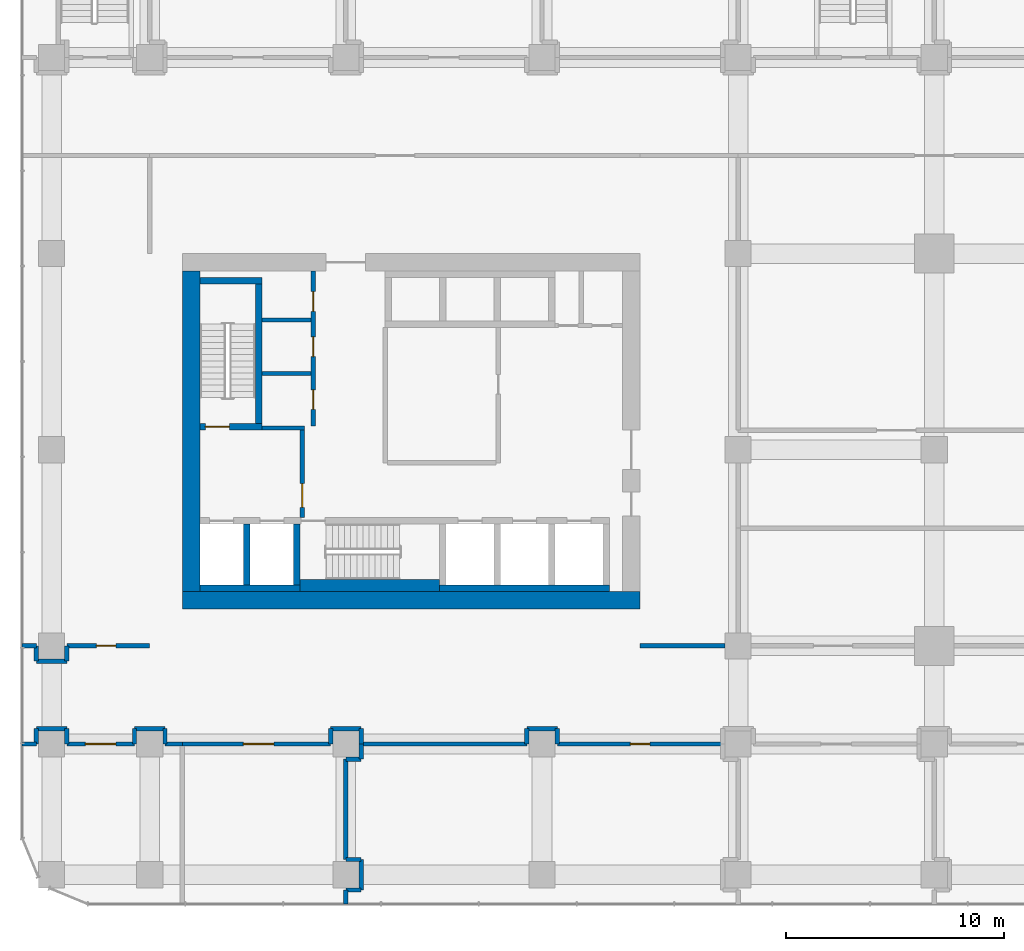
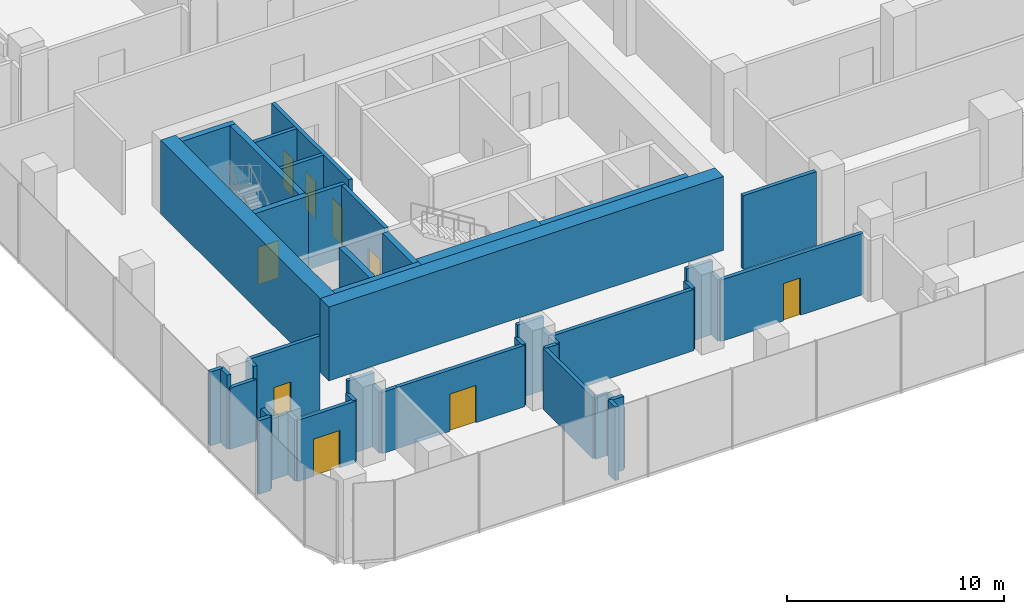
# One storey, part 28 of 43: 46 walls, 9 doors, 9 openings.
"""IFC4 building model written with IfcOpenShell, lengths in metres."""

from ifc_helpers import new_model, si_unit, direction, frame, frame_2d, origin, place, context, subcontext, project, spatial, rectangle, extrude, material, layer, layer_set, type_object, element, fill, save


model = new_model("IFC4")

# Units and contexts
model_context = context("Model", 3, precision=1e-05, world=origin(), true_north=direction((0.0, 1.0)))
body_context = subcontext(model_context, "Body", "Model", "MODEL_VIEW")
ifc_project = project(units=[si_unit("LENGTHUNIT", "METRE"), si_unit("AREAUNIT", "SQUARE_METRE"), si_unit("VOLUMEUNIT", "CUBIC_METRE"), si_unit("PLANEANGLEUNIT", "RADIAN"), si_unit("MASSUNIT", "GRAM", prefix="KILO")], contexts=[model_context])

# Site, building, storey
site_placement = place(None, origin())
site = spatial("IfcSite", under=ifc_project, at=site_placement, CompositionType="ELEMENT")
building_placement = place(site_placement, origin())
building = spatial("IfcBuilding", under=site, at=building_placement, Name="Plateau Cross Towers", CompositionType="ELEMENT")
storey_placement = place(building_placement, frame((0.0, 0.0, 12.800048828125)))
storey = spatial("IfcBuildingStorey", under=building, at=storey_placement, Name="L02", CompositionType="ELEMENT", Elevation=12.800048828125)

# Wall, opening, door
ifc_material_1 = material(Name="Concrete block, plastered both sides", Category="concrete")
ifc_layer_1 = layer(ifc_material_1, 0.199951171875)
ifc_layer_set_1 = layer_set([ifc_layer_1], Name="Concrete block, plastered both sides")
wall_type_1 = type_object("IfcWallType", Name="Core partition 200", PredefinedType="PARTITIONING", material=ifc_layer_set_1)
wall_1_placement = place(storey_placement, frame((7.0, 5.89990234375, 0.0), z_axis=(0.0, 0.0, 1.0), x_axis=(0.0, 1.0, 0.0)))
wall_1 = element("IfcWall", 1, at=wall_1_placement, inside=storey, type_object=wall_type_1, Name="Core partition", PredefinedType="PARTITIONING", context=body_context, shape_type="SweptSolid", body=[
    extrude(rectangle(XDim=4.0, YDim=0.199951171875, at=frame_2d((2.0, 0.0))), origin(), (0.0, 0.0, 1.0), 4.14990234375),
])
opening_1_placement = place(wall_1_placement, frame((0.449951171875, 0.0, 0.0)))
opening_1 = element("IfcOpeningElement", 2, at=opening_1_placement, cuts=wall_1, Name="Opening FFD", PredefinedType="OPENING", context=body_context, shape_type="SweptSolid", body=[
    extrude(rectangle(XDim=1.10009765625, YDim=2.10009765625, at=frame_2d((0.550048828125, 1.050048828125))), frame((0.0, 0.10986328125, 0.0), z_axis=(0.0, -1.0, 0.0), x_axis=(1.0, 0.0, 0.0)), (0.0, 0.0, 1.0), 0.219970703125),
])
ifc_material_2 = material(Name="Steel, fire-resisting leaf", Category="steel")
door_type_1 = type_object("IfcDoorType", Name="Firefighting lobby door 1100", OperationType="NOTDEFINED", PredefinedType="DOOR", material=ifc_material_2)
door_1_placement = place(opening_1_placement, origin())
door_1 = element("IfcDoor", 3, at=door_1_placement, inside=storey, type_object=door_type_1, Name="Firefighting lobby door FFD", OperationType="SINGLE_SWING_LEFT", OverallHeight=2.10009765625, OverallWidth=1.10009765625, PredefinedType="DOOR", context=body_context, shape_type="SweptSolid", body=[
    extrude(rectangle(XDim=1.10009765625, YDim=2.10009765625, at=frame_2d((0.550048828125, 1.050048828125))), frame((0.0, 0.02490234375, 0.0), z_axis=(0.0, -1.0, 0.0), x_axis=(1.0, 0.0, 0.0)), (0.0, 0.0, 1.0), 0.050048828125),
])
fill(opening_1, door_1)

# Wall
wall_2_placement = place(storey_placement, frame((5.14990234375, 10.0, 0.0), z_axis=(0.0, 0.0, 1.0), x_axis=(1.0, 0.0, 0.0)))
element("IfcWall", 4, at=wall_2_placement, inside=storey, type_object=wall_type_1, Name="Core partition", PredefinedType="PARTITIONING", context=body_context, shape_type="SweptSolid", body=[
    extrude(rectangle(XDim=1.9501953125, YDim=0.199951171875, at=frame_2d((0.97509765625, 0.0))), origin(), (0.0, 0.0, 1.0), 4.14990234375),
])

# Wall, openings, doors
wall_3_placement = place(storey_placement, frame((7.5, 10.10009765625, 0.0), z_axis=(0.0, 0.0, 1.0), x_axis=(0.0, 1.0, 0.0)))
wall_3 = element("IfcWall", 5, at=wall_3_placement, inside=storey, type_object=wall_type_1, Name="Core partition", PredefinedType="PARTITIONING", context=body_context, shape_type="SweptSolid", body=[
    extrude(rectangle(XDim=7.099853515625, YDim=0.199951171875, at=frame_2d((3.5498046875, 0.0))), origin(), (0.0, 0.0, 1.0), 4.14990234375),
])
opening_2_placement = place(wall_3_placement, frame((0.75, 0.0, 0.0)))
opening_2 = element("IfcOpeningElement", 6, at=opening_2_placement, cuts=wall_3, Name="Opening RD1", PredefinedType="OPENING", context=body_context, shape_type="SweptSolid", body=[
    extrude(rectangle(XDim=0.89990234375, YDim=2.10009765625, at=frame_2d((0.449951171875, 1.050048828125))), frame((0.0, 0.10986328125, 0.0), z_axis=(0.0, -1.0, 0.0), x_axis=(1.0, 0.0, 0.0)), (0.0, 0.0, 1.0), 0.219970703125),
])
opening_3_placement = place(wall_3_placement, frame((3.175048828125, 0.0, 0.0)))
opening_3 = element("IfcOpeningElement", 7, at=opening_3_placement, cuts=wall_3, Name="Opening RD1", PredefinedType="OPENING", context=body_context, shape_type="SweptSolid", body=[
    extrude(rectangle(XDim=0.89990234375, YDim=2.10009765625, at=frame_2d((0.449951171875, 1.050048828125))), frame((0.0, 0.10986328125, 0.0), z_axis=(0.0, -1.0, 0.0), x_axis=(1.0, 0.0, 0.0)), (0.0, 0.0, 1.0), 0.219970703125),
])
opening_4_placement = place(wall_3_placement, frame((5.25, 0.0, 0.0)))
opening_4 = element("IfcOpeningElement", 8, at=opening_4_placement, cuts=wall_3, Name="Opening RD1", PredefinedType="OPENING", context=body_context, shape_type="SweptSolid", body=[
    extrude(rectangle(XDim=0.89990234375, YDim=2.10009765625, at=frame_2d((0.449951171875, 1.050048828125))), frame((0.0, 0.10986328125, 0.0), z_axis=(0.0, -1.0, 0.0), x_axis=(1.0, 0.0, 0.0)), (0.0, 0.0, 1.0), 0.219970703125),
])
ifc_material_3 = material(Name="Timber, fire-resisting leaf", Category="wood")
door_type_2 = type_object("IfcDoorType", Name="Core service door 900", OperationType="NOTDEFINED", PredefinedType="DOOR", material=ifc_material_3)
door_2_placement = place(opening_2_placement, origin())
door_2 = element("IfcDoor", 9, at=door_2_placement, inside=storey, type_object=door_type_2, Name="Core service door RD1", OperationType="SINGLE_SWING_RIGHT", OverallHeight=2.10009765625, OverallWidth=0.89990234375, PredefinedType="DOOR", context=body_context, shape_type="SweptSolid", body=[
    extrude(rectangle(XDim=0.89990234375, YDim=2.10009765625, at=frame_2d((0.449951171875, 1.050048828125))), frame((0.0, 0.02490234375, 0.0), z_axis=(0.0, -1.0, 0.0), x_axis=(1.0, 0.0, 0.0)), (0.0, 0.0, 1.0), 0.050048828125),
])
fill(opening_2, door_2)
door_3_placement = place(opening_3_placement, origin())
door_3 = element("IfcDoor", 10, at=door_3_placement, inside=storey, type_object=door_type_2, Name="Core service door RD1", OperationType="SINGLE_SWING_RIGHT", OverallHeight=2.10009765625, OverallWidth=0.89990234375, PredefinedType="DOOR", context=body_context, shape_type="SweptSolid", body=[
    extrude(rectangle(XDim=0.89990234375, YDim=2.10009765625, at=frame_2d((0.449951171875, 1.050048828125))), frame((0.0, 0.02490234375, 0.0), z_axis=(0.0, -1.0, 0.0), x_axis=(1.0, 0.0, 0.0)), (0.0, 0.0, 1.0), 0.050048828125),
])
fill(opening_3, door_3)
door_4_placement = place(opening_4_placement, origin())
door_4 = element("IfcDoor", 11, at=door_4_placement, inside=storey, type_object=door_type_2, Name="Core service door RD1", OperationType="SINGLE_SWING_RIGHT", OverallHeight=2.10009765625, OverallWidth=0.89990234375, PredefinedType="DOOR", context=body_context, shape_type="SweptSolid", body=[
    extrude(rectangle(XDim=0.89990234375, YDim=2.10009765625, at=frame_2d((0.449951171875, 1.050048828125))), frame((0.0, 0.02490234375, 0.0), z_axis=(0.0, -1.0, 0.0), x_axis=(1.0, 0.0, 0.0)), (0.0, 0.0, 1.0), 0.050048828125),
])
fill(opening_4, door_4)

# Walls
for number, where, z_axis, x_axis, name in (
    (12, (5.14990234375, 12.5, 0.0), (0.0, 0.0, 1.0), (1.0, 0.0, 0.0), "Core partition"),
    (13, (5.14990234375, 14.949951171875, 0.0), (0.0, 0.0, 1.0), (1.0, 0.0, 0.0), "Core partition"),
):
    element("IfcWall", number, at=place(storey_placement, frame(where, z_axis=z_axis, x_axis=x_axis)), inside=storey, type_object=wall_type_1, Name=name, PredefinedType="PARTITIONING", context=body_context, shape_type="SweptSolid", body=[
        extrude(rectangle(XDim=2.25, YDim=0.199951171875, at=frame_2d((1.125, 0.0))), origin(), (0.0, 0.0, 1.0), 4.14990234375),
    ])
ifc_material_4 = material(Name="Concrete C60/75", Category="concrete")
ifc_layer_2 = layer(ifc_material_4, 0.300048828125)
ifc_layer_set_2 = layer_set([ifc_layer_2], Name="Concrete C60/75")
wall_type_2 = type_object("IfcWallType", Name="Core shaft wall 300", PredefinedType="SHEAR", material=ifc_layer_set_2)
wall_4_placement = place(storey_placement, frame((2.300048828125, 2.64990234375, 0.0), z_axis=(0.0, 0.0, 1.0), x_axis=(1.0, 0.0, 0.0)))
element("IfcWall", 14, at=wall_4_placement, inside=storey, type_object=wall_type_2, Name="A-sb-back1@L02", PredefinedType="SHEAR", context=body_context, shape_type="SweptSolid", body=[
    extrude(rectangle(XDim=4.599853515625, YDim=0.300048828125, at=frame_2d((2.2998046875, 0.0))), origin(), (0.0, 0.0, 1.0), 4.14990234375),
])
wall_5_placement = place(storey_placement, frame((13.300048828125, 2.64990234375, 0.0), z_axis=(0.0, 0.0, 1.0), x_axis=(1.0, 0.0, 0.0)))
element("IfcWall", 15, at=wall_5_placement, inside=storey, type_object=wall_type_2, Name="A-sb-back3@L02", PredefinedType="SHEAR", context=body_context, shape_type="SweptSolid", body=[
    extrude(rectangle(XDim=7.800048828125, YDim=0.300048828125, at=frame_2d((3.89990234375, 0.0))), origin(), (0.0, 0.0, 1.0), 4.14990234375),
])
for number, where, z_axis, x_axis, name in (
    (16, (4.449951171875, 2.800048828125, 0.0), (0.0, 0.0, 1.0), (0.0, 1.0, 0.0), "A-sb-v1@L02"),
    (17, (6.75, 2.800048828125, 0.0), (0.0, 0.0, 1.0), (0.0, 1.0, 0.0), "A-sb-v2@L02"),
):
    element("IfcWall", number, at=place(storey_placement, frame(where, z_axis=z_axis, x_axis=x_axis)), inside=storey, type_object=wall_type_2, Name=name, PredefinedType="SHEAR", context=body_context, shape_type="SweptSolid", body=[
        extrude(rectangle(XDim=2.800048828125, YDim=0.300048828125, at=frame_2d((1.39990234375, 0.0))), origin(), (0.0, 0.0, 1.0), 4.14990234375),
    ])

# Wall, opening, door
wall_6_placement = place(storey_placement, frame((2.300048828125, 10.050048828125, 0.0), z_axis=(0.0, 0.0, 1.0), x_axis=(1.0, 0.0, 0.0)))
wall_6 = element("IfcWall", 18, at=wall_6_placement, inside=storey, type_object=wall_type_2, Name="A-st1-S@L02", PredefinedType="SHEAR", context=body_context, shape_type="SweptSolid", body=[
    extrude(rectangle(XDim=2.849853515625, YDim=0.300048828125, at=frame_2d((1.4248046875, 0.0))), origin(), (0.0, 0.0, 1.0), 4.14990234375),
])
opening_5_placement = place(wall_6_placement, frame((0.25, 0.0, 0.0)))
opening_5 = element("IfcOpeningElement", 19, at=opening_5_placement, cuts=wall_6, Name="Opening SD", PredefinedType="OPENING", context=body_context, shape_type="SweptSolid", body=[
    extrude(rectangle(XDim=1.10009765625, YDim=2.10009765625, at=frame_2d((0.550048828125, 1.050048828125))), frame((0.0, 0.159912109375, 0.0), z_axis=(0.0, -1.0, 0.0), x_axis=(1.0, 0.0, 0.0)), (0.0, 0.0, 1.0), 0.320068359375),
])
door_type_3 = type_object("IfcDoorType", Name="Stair door 1100", OperationType="NOTDEFINED", PredefinedType="DOOR", material=ifc_material_2)
door_5_placement = place(opening_5_placement, origin())
door_5 = element("IfcDoor", 20, at=door_5_placement, inside=storey, type_object=door_type_3, Name="Stair door SD", OperationType="SINGLE_SWING_RIGHT", OverallHeight=2.10009765625, OverallWidth=1.10009765625, PredefinedType="DOOR", context=body_context, shape_type="SweptSolid", body=[
    extrude(rectangle(XDim=1.10009765625, YDim=2.10009765625, at=frame_2d((0.550048828125, 1.050048828125))), frame((0.0, 0.02490234375, 0.0), z_axis=(0.0, -1.0, 0.0), x_axis=(1.0, 0.0, 0.0)), (0.0, 0.0, 1.0), 0.050048828125),
])
fill(opening_5, door_5)

# Walls
wall_7_placement = place(storey_placement, frame((5.0, 10.199951171875, 0.0), z_axis=(0.0, 0.0, 1.0), x_axis=(0.0, 1.0, 0.0)))
element("IfcWall", 21, at=wall_7_placement, inside=storey, type_object=wall_type_2, Name="A-st1-E@L02", PredefinedType="SHEAR", context=body_context, shape_type="SweptSolid", body=[
    extrude(rectangle(XDim=6.400146484375, YDim=0.300048828125, at=frame_2d((3.2001953125, 0.0))), origin(), (0.0, 0.0, 1.0), 4.14990234375),
])
wall_8_placement = place(storey_placement, frame((2.300048828125, 16.75, 0.0), z_axis=(0.0, 0.0, 1.0), x_axis=(1.0, 0.0, 0.0)))
element("IfcWall", 22, at=wall_8_placement, inside=storey, type_object=wall_type_2, Name="A-st1-N@L02", PredefinedType="SHEAR", context=body_context, shape_type="SweptSolid", body=[
    extrude(rectangle(XDim=2.849853515625, YDim=0.300048828125, at=frame_2d((1.4248046875, 0.0))), origin(), (0.0, 0.0, 1.0), 4.14990234375),
])
ifc_layer_3 = layer(ifc_material_4, 0.550048828125)
ifc_layer_set_3 = layer_set([ifc_layer_3], Name="Concrete C60/75")
wall_type_3 = type_object("IfcWallType", Name="Core shaft wall 550", PredefinedType="SHEAR", material=ifc_layer_set_3)
wall_9_placement = place(storey_placement, frame((6.89990234375, 2.77490234375, 0.0), z_axis=(0.0, 0.0, 1.0), x_axis=(1.0, 0.0, 0.0)))
element("IfcWall", 23, at=wall_9_placement, inside=storey, type_object=wall_type_3, Name="A-sb-back2@L02", PredefinedType="SHEAR", context=body_context, shape_type="SweptSolid", body=[
    extrude(rectangle(XDim=6.400146484375, YDim=0.550048828125, at=frame_2d((3.2001953125, 0.0))), origin(), (0.0, 0.0, 1.0), 4.14990234375),
])
ifc_layer_4 = layer(ifc_material_4, 0.800048828125)
ifc_layer_set_4 = layer_set([ifc_layer_4], Name="Concrete C60/75")
wall_type_4 = type_object("IfcWallType", Name="Core shell wall 800", PredefinedType="SHEAR", material=ifc_layer_set_4)
wall_10_placement = place(storey_placement, frame((1.5, 2.10009765625, 0.0), z_axis=(0.0, 0.0, 1.0), x_axis=(1.0, 0.0, 0.0)))
element("IfcWall", 24, at=wall_10_placement, inside=storey, type_object=wall_type_4, Name="A-core-S@L02", PredefinedType="SHEAR", context=body_context, shape_type="SweptSolid", body=[
    extrude(rectangle(XDim=21.0, YDim=0.800048828125, at=frame_2d((10.5, 0.0))), origin(), (0.0, 0.0, 1.0), 4.14990234375),
])
wall_11_placement = place(storey_placement, frame((1.89990234375, 2.5, 0.0), z_axis=(0.0, 0.0, 1.0), x_axis=(0.0, 1.0, 0.0)))
element("IfcWall", 25, at=wall_11_placement, inside=storey, type_object=wall_type_4, Name="A-core-W@L02", PredefinedType="SHEAR", context=body_context, shape_type="SweptSolid", body=[
    extrude(rectangle(XDim=14.699951171875, YDim=0.800048828125, at=frame_2d((7.35009765625, 0.0))), origin(), (0.0, 0.0, 1.0), 4.14990234375),
])

# Wall, opening, door
ifc_material_5 = material(Name="Gypsum board on steel studs, two layers each side", Category="steel")
ifc_layer_5 = layer(ifc_material_5, 0.199951171875)
ifc_layer_set_5 = layer_set([ifc_layer_5], Name="Gypsum board on steel studs, two layers each side")
wall_type_5 = type_object("IfcWallType", Name="Podium compartment wall 200", PredefinedType="PARTITIONING", material=ifc_layer_set_5)
wall_12_placement = place(storey_placement, frame((26.300048828125, -4.5, 0.0), z_axis=(0.0, 0.0, 1.0), x_axis=(-1.0, 0.0, 0.0)))
wall_12 = element("IfcWall", 26, at=wall_12_placement, inside=storey, type_object=wall_type_5, Name="Partition wall", PredefinedType="PARTITIONING", context=body_context, shape_type="SweptSolid", body=[
    extrude(rectangle(XDim=7.60009765625, YDim=0.199951171875, at=frame_2d((3.800048828125, 0.0))), origin(), (0.0, 0.0, 1.0), 3.449951171875),
])
opening_6_placement = place(wall_12_placement, frame((3.35009765625, 0.0, 0.0)))
opening_6 = element("IfcOpeningElement", 27, at=opening_6_placement, cuts=wall_12, Name="Opening 02-09", PredefinedType="OPENING", context=body_context, shape_type="SweptSolid", body=[
    extrude(rectangle(XDim=0.89990234375, YDim=2.10009765625, at=frame_2d((0.449951171875, 1.050048828125))), frame((0.0, 0.10986328125, 0.0), z_axis=(0.0, -1.0, 0.0), x_axis=(1.0, 0.0, 0.0)), (0.0, 0.0, 1.0), 0.219970703125),
])
door_type_4 = type_object("IfcDoorType", Name="Podium service door 900", OperationType="NOTDEFINED", PredefinedType="DOOR", material=ifc_material_3)
door_6_placement = place(opening_6_placement, origin())
door_6 = element("IfcDoor", 28, at=door_6_placement, inside=storey, type_object=door_type_4, Name="Door 02-09", OperationType="SINGLE_SWING_LEFT", OverallHeight=2.10009765625, OverallWidth=0.89990234375, PredefinedType="DOOR", context=body_context, shape_type="SweptSolid", body=[
    extrude(rectangle(XDim=0.89990234375, YDim=2.10009765625, at=frame_2d((0.449951171875, 1.050048828125))), frame((0.0, 0.02490234375, 0.0), z_axis=(0.0, -1.0, 0.0), x_axis=(1.0, 0.0, 0.0)), (0.0, 0.0, 1.0), 0.050048828125),
])
fill(opening_6, door_6)

wall_13_placement = place(storey_placement, frame((-3.800048828125, 0.0, 0.0), z_axis=(0.0, 0.0, 1.0), x_axis=(1.0, 0.0, 0.0)))
wall_13 = element("IfcWall", 29, at=wall_13_placement, inside=storey, type_object=wall_type_5, Name="Partition wall", PredefinedType="PARTITIONING", context=body_context, shape_type="SweptSolid", body=[
    extrude(rectangle(XDim=3.800048828125, YDim=0.199951171875, at=frame_2d((1.89990234375, 0.0))), origin(), (0.0, 0.0, 1.0), 4.14990234375),
])
opening_7_placement = place(wall_13_placement, frame((1.35009765625, 0.0, 0.0)))
opening_7 = element("IfcOpeningElement", 30, at=opening_7_placement, cuts=wall_13, Name="Opening 02-31", PredefinedType="OPENING", context=body_context, shape_type="SweptSolid", body=[
    extrude(rectangle(XDim=0.89990234375, YDim=2.10009765625, at=frame_2d((0.449951171875, 1.050048828125))), frame((0.0, 0.10986328125, 0.0), z_axis=(0.0, -1.0, 0.0), x_axis=(1.0, 0.0, 0.0)), (0.0, 0.0, 1.0), 0.219970703125),
])
door_7_placement = place(opening_7_placement, origin())
door_7 = element("IfcDoor", 31, at=door_7_placement, inside=storey, type_object=door_type_4, Name="Door 02-31", OperationType="SINGLE_SWING_LEFT", OverallHeight=2.10009765625, OverallWidth=0.89990234375, PredefinedType="DOOR", context=body_context, shape_type="SweptSolid", body=[
    extrude(rectangle(XDim=0.89990234375, YDim=2.10009765625, at=frame_2d((0.449951171875, 1.050048828125))), frame((0.0, 0.02490234375, 0.0), z_axis=(0.0, -1.0, 0.0), x_axis=(1.0, 0.0, 0.0)), (0.0, 0.0, 1.0), 0.050048828125),
])
fill(opening_7, door_7)

# Walls
ifc_material_6 = material(Name="Gypsum board on steel studs", Category="steel")
ifc_layer_6 = layer(ifc_material_6, 0.199951171875)
ifc_layer_set_6 = layer_set([ifc_layer_6], Name="Gypsum board on steel studs")
wall_type_6 = type_object("IfcWallType", Name="Podium partition 200", PredefinedType="PARTITIONING", material=ifc_layer_set_6)
wall_14_placement = place(storey_placement, frame((18.699951171875, -4.5, 0.0), z_axis=(0.0, 0.0, 1.0), x_axis=(0.0, 1.0, 0.0)))
element("IfcWall", 32, at=wall_14_placement, inside=storey, type_object=wall_type_6, Name="Partition wall", PredefinedType="PARTITIONING", context=body_context, shape_type="SweptSolid", body=[
    extrude(rectangle(XDim=0.699951171875, YDim=0.199951171875, at=frame_2d((0.35009765625, 0.0))), origin(), (0.0, 0.0, 1.0), 3.449951171875),
])
wall_15_placement = place(storey_placement, frame((18.699951171875, -3.800048828125, 0.0), z_axis=(0.0, 0.0, 1.0), x_axis=(-1.0, 0.0, 0.0)))
element("IfcWall", 33, at=wall_15_placement, inside=storey, type_object=wall_type_6, Name="Partition wall", PredefinedType="PARTITIONING", context=body_context, shape_type="SweptSolid", body=[
    extrude(rectangle(XDim=1.39990234375, YDim=0.199951171875, at=frame_2d((0.699951171875, 0.0))), origin(), (0.0, 0.0, 1.0), 4.14990234375),
])
wall_16_placement = place(storey_placement, frame((17.300048828125, -3.800048828125, 0.0), z_axis=(0.0, 0.0, 1.0), x_axis=(0.0, -1.0, 0.0)))
element("IfcWall", 34, at=wall_16_placement, inside=storey, type_object=wall_type_6, Name="Partition wall", PredefinedType="PARTITIONING", context=body_context, shape_type="SweptSolid", body=[
    extrude(rectangle(XDim=0.699951171875, YDim=0.199951171875, at=frame_2d((0.35009765625, 0.0))), origin(), (0.0, 0.0, 1.0), 3.449951171875),
])
wall_17_placement = place(storey_placement, frame((17.300048828125, -4.5, 0.0), z_axis=(0.0, 0.0, 1.0), x_axis=(-1.0, 0.0, 0.0)))
element("IfcWall", 35, at=wall_17_placement, inside=storey, type_object=wall_type_6, Name="Partition wall", PredefinedType="PARTITIONING", context=body_context, shape_type="SweptSolid", body=[
    extrude(rectangle(XDim=7.60009765625, YDim=0.199951171875, at=frame_2d((3.800048828125, 0.0))), origin(), (0.0, 0.0, 1.0), 3.449951171875),
])
wall_18_placement = place(storey_placement, frame((9.699951171875, -4.5, 0.0), z_axis=(0.0, 0.0, 1.0), x_axis=(0.0, 1.0, 0.0)))
element("IfcWall", 36, at=wall_18_placement, inside=storey, type_object=wall_type_6, Name="Partition wall", PredefinedType="PARTITIONING", context=body_context, shape_type="SweptSolid", body=[
    extrude(rectangle(XDim=0.699951171875, YDim=0.199951171875, at=frame_2d((0.35009765625, 0.0))), origin(), (0.0, 0.0, 1.0), 3.449951171875),
])
wall_19_placement = place(storey_placement, frame((9.699951171875, -3.800048828125, 0.0), z_axis=(0.0, 0.0, 1.0), x_axis=(-1.0, 0.0, 0.0)))
element("IfcWall", 37, at=wall_19_placement, inside=storey, type_object=wall_type_6, Name="Partition wall", PredefinedType="PARTITIONING", context=body_context, shape_type="SweptSolid", body=[
    extrude(rectangle(XDim=1.39990234375, YDim=0.199951171875, at=frame_2d((0.699951171875, 0.0))), origin(), (0.0, 0.0, 1.0), 4.14990234375),
])
wall_20_placement = place(storey_placement, frame((8.300048828125, -3.800048828125, 0.0), z_axis=(0.0, 0.0, 1.0), x_axis=(0.0, -1.0, 0.0)))
element("IfcWall", 38, at=wall_20_placement, inside=storey, type_object=wall_type_6, Name="Partition wall", PredefinedType="PARTITIONING", context=body_context, shape_type="SweptSolid", body=[
    extrude(rectangle(XDim=0.699951171875, YDim=0.199951171875, at=frame_2d((0.35009765625, 0.0))), origin(), (0.0, 0.0, 1.0), 3.449951171875),
])

# Wall, opening, door
wall_21_placement = place(storey_placement, frame((8.300048828125, -4.5, 0.0), z_axis=(0.0, 0.0, 1.0), x_axis=(-1.0, 0.0, 0.0)))
wall_21 = element("IfcWall", 39, at=wall_21_placement, inside=storey, type_object=wall_type_6, Name="Partition wall", PredefinedType="PARTITIONING", context=body_context, shape_type="SweptSolid", body=[
    extrude(rectangle(XDim=6.800048828125, YDim=0.199951171875, at=frame_2d((3.39990234375, 0.0))), origin(), (0.0, 0.0, 1.0), 3.449951171875),
])
opening_8_placement = place(wall_21_placement, frame((2.60009765625, 0.0, 0.0)))
opening_8 = element("IfcOpeningElement", 40, at=opening_8_placement, cuts=wall_21, Name="Opening 02-08", PredefinedType="OPENING", context=body_context, shape_type="SweptSolid", body=[
    extrude(rectangle(XDim=1.39990234375, YDim=2.10009765625, at=frame_2d((0.699951171875, 1.050048828125))), frame((0.0, 0.10986328125, 0.0), z_axis=(0.0, -1.0, 0.0), x_axis=(1.0, 0.0, 0.0)), (0.0, 0.0, 1.0), 0.219970703125),
])
ifc_material_7 = material(Name="Timber, hospital grade leaf", Category="wood")
door_type_5 = type_object("IfcDoorType", Name="Clinic bed access door 1400x2100", OperationType="NOTDEFINED", PredefinedType="DOOR", material=ifc_material_7)
door_8_placement = place(opening_8_placement, origin())
door_8 = element("IfcDoor", 41, at=door_8_placement, inside=storey, type_object=door_type_5, Name="Door 02-08", OperationType="SINGLE_SWING_LEFT", OverallHeight=2.10009765625, OverallWidth=1.39990234375, PredefinedType="DOOR", context=body_context, shape_type="SweptSolid", body=[
    extrude(rectangle(XDim=1.39990234375, YDim=2.10009765625, at=frame_2d((0.699951171875, 1.050048828125))), frame((0.0, 0.02490234375, 0.0), z_axis=(0.0, -1.0, 0.0), x_axis=(1.0, 0.0, 0.0)), (0.0, 0.0, 1.0), 0.050048828125),
])
fill(opening_8, door_8)

# Walls
for number, where, z_axis, x_axis, name in (
    (42, (9.699951171875, -4.5, 0.0), (0.0, 0.0, 1.0), (0.0, -1.0, 0.0), "Partition wall"),
    (43, (9.699951171875, -5.199951171875, 0.0), (0.0, 0.0, 1.0), (-1.0, 0.0, 0.0), "Partition wall"),
):
    element("IfcWall", number, at=place(storey_placement, frame(where, z_axis=z_axis, x_axis=x_axis)), inside=storey, type_object=wall_type_6, Name=name, PredefinedType="PARTITIONING", context=body_context, shape_type="SweptSolid", body=[
        extrude(rectangle(XDim=0.699951171875, YDim=0.199951171875, at=frame_2d((0.35009765625, 0.0))), origin(), (0.0, 0.0, 1.0), 3.449951171875),
    ])
wall_22_placement = place(storey_placement, frame((9.0, -5.199951171875, 0.0), z_axis=(0.0, 0.0, 1.0), x_axis=(0.0, -1.0, 0.0)))
element("IfcWall", 44, at=wall_22_placement, inside=storey, type_object=wall_type_6, Name="Partition wall", PredefinedType="PARTITIONING", context=body_context, shape_type="SweptSolid", body=[
    extrude(rectangle(XDim=4.60009765625, YDim=0.199951171875, at=frame_2d((2.300048828125, 0.0))), origin(), (0.0, 0.0, 1.0), 3.449951171875),
])
wall_23_placement = place(storey_placement, frame((9.0, -9.800048828125, 0.0), z_axis=(0.0, 0.0, 1.0), x_axis=(1.0, 0.0, 0.0)))
element("IfcWall", 45, at=wall_23_placement, inside=storey, type_object=wall_type_6, Name="Partition wall", PredefinedType="PARTITIONING", context=body_context, shape_type="SweptSolid", body=[
    extrude(rectangle(XDim=0.699951171875, YDim=0.199951171875, at=frame_2d((0.35009765625, 0.0))), origin(), (0.0, 0.0, 1.0), 3.449951171875),
])
wall_24_placement = place(storey_placement, frame((9.699951171875, -9.800048828125, 0.0), z_axis=(0.0, 0.0, 1.0), x_axis=(0.0, -1.0, 0.0)))
element("IfcWall", 46, at=wall_24_placement, inside=storey, type_object=wall_type_6, Name="Partition wall", PredefinedType="PARTITIONING", context=body_context, shape_type="SweptSolid", body=[
    extrude(rectangle(XDim=1.39990234375, YDim=0.199951171875, at=frame_2d((0.699951171875, 0.0))), origin(), (0.0, 0.0, 1.0), 3.449951171875),
])
wall_25_placement = place(storey_placement, frame((9.699951171875, -11.199951171875, 0.0), z_axis=(0.0, 0.0, 1.0), x_axis=(-1.0, 0.0, 0.0)))
element("IfcWall", 47, at=wall_25_placement, inside=storey, type_object=wall_type_6, Name="Partition wall", PredefinedType="PARTITIONING", context=body_context, shape_type="SweptSolid", body=[
    extrude(rectangle(XDim=0.699951171875, YDim=0.199951171875, at=frame_2d((0.35009765625, 0.0))), origin(), (0.0, 0.0, 1.0), 4.14990234375),
])
wall_26_placement = place(storey_placement, frame((9.0, -11.199951171875, 0.0), z_axis=(0.0, 0.0, 1.0), x_axis=(0.0, -1.0, 0.0)))
element("IfcWall", 48, at=wall_26_placement, inside=storey, type_object=wall_type_6, Name="Partition wall", PredefinedType="PARTITIONING", context=body_context, shape_type="SweptSolid", body=[
    extrude(rectangle(XDim=0.650146484375, YDim=0.199951171875, at=frame_2d((0.3251953125, 0.0))), origin(), (0.0, 0.0, 1.0), 4.14990234375),
])
wall_27_placement = place(storey_placement, frame((1.5, -4.5, 0.0), z_axis=(0.0, 0.0, 1.0), x_axis=(-1.0, 0.0, 0.0)))
element("IfcWall", 49, at=wall_27_placement, inside=storey, type_object=wall_type_6, Name="Partition wall", PredefinedType="PARTITIONING", context=body_context, shape_type="SweptSolid", body=[
    extrude(rectangle(XDim=0.800048828125, YDim=0.199951171875, at=frame_2d((0.39990234375, 0.0))), origin(), (0.0, 0.0, 1.0), 3.449951171875),
])
wall_28_placement = place(storey_placement, frame((0.699951171875, -4.5, 0.0), z_axis=(0.0, 0.0, 1.0), x_axis=(0.0, 1.0, 0.0)))
element("IfcWall", 50, at=wall_28_placement, inside=storey, type_object=wall_type_6, Name="Partition wall", PredefinedType="PARTITIONING", context=body_context, shape_type="SweptSolid", body=[
    extrude(rectangle(XDim=0.699951171875, YDim=0.199951171875, at=frame_2d((0.35009765625, 0.0))), origin(), (0.0, 0.0, 1.0), 3.449951171875),
])
wall_29_placement = place(storey_placement, frame((0.699951171875, -3.800048828125, 0.0), z_axis=(0.0, 0.0, 1.0), x_axis=(-1.0, 0.0, 0.0)))
element("IfcWall", 51, at=wall_29_placement, inside=storey, type_object=wall_type_6, Name="Partition wall", PredefinedType="PARTITIONING", context=body_context, shape_type="SweptSolid", body=[
    extrude(rectangle(XDim=1.39990234375, YDim=0.199951171875, at=frame_2d((0.699951171875, 0.0))), origin(), (0.0, 0.0, 1.0), 4.14990234375),
])
wall_30_placement = place(storey_placement, frame((-0.699951171875, -3.800048828125, 0.0), z_axis=(0.0, 0.0, 1.0), x_axis=(0.0, -1.0, 0.0)))
element("IfcWall", 52, at=wall_30_placement, inside=storey, type_object=wall_type_6, Name="Partition wall", PredefinedType="PARTITIONING", context=body_context, shape_type="SweptSolid", body=[
    extrude(rectangle(XDim=0.699951171875, YDim=0.199951171875, at=frame_2d((0.35009765625, 0.0))), origin(), (0.0, 0.0, 1.0), 3.449951171875),
])

# Wall, opening, door
wall_31_placement = place(storey_placement, frame((-0.699951171875, -4.5, 0.0), z_axis=(0.0, 0.0, 1.0), x_axis=(-1.0, 0.0, 0.0)))
wall_31 = element("IfcWall", 53, at=wall_31_placement, inside=storey, type_object=wall_type_6, Name="Partition wall", PredefinedType="PARTITIONING", context=body_context, shape_type="SweptSolid", body=[
    extrude(rectangle(XDim=3.10009765625, YDim=0.199951171875, at=frame_2d((1.550048828125, 0.0))), origin(), (0.0, 0.0, 1.0), 3.449951171875),
])
opening_9_placement = place(wall_31_placement, frame((0.85009765625, 0.0, 0.0)))
opening_9 = element("IfcOpeningElement", 54, at=opening_9_placement, cuts=wall_31, Name="Opening 02-07", PredefinedType="OPENING", context=body_context, shape_type="SweptSolid", body=[
    extrude(rectangle(XDim=1.39990234375, YDim=2.10009765625, at=frame_2d((0.699951171875, 1.050048828125))), frame((0.0, 0.10986328125, 0.0), z_axis=(0.0, -1.0, 0.0), x_axis=(1.0, 0.0, 0.0)), (0.0, 0.0, 1.0), 0.219970703125),
])
door_9_placement = place(opening_9_placement, origin())
door_9 = element("IfcDoor", 55, at=door_9_placement, inside=storey, type_object=door_type_5, Name="Door 02-07", OperationType="SINGLE_SWING_LEFT", OverallHeight=2.10009765625, OverallWidth=1.39990234375, PredefinedType="DOOR", context=body_context, shape_type="SweptSolid", body=[
    extrude(rectangle(XDim=1.39990234375, YDim=2.10009765625, at=frame_2d((0.699951171875, 1.050048828125))), frame((0.0, 0.02490234375, 0.0), z_axis=(0.0, -1.0, 0.0), x_axis=(1.0, 0.0, 0.0)), (0.0, 0.0, 1.0), 0.050048828125),
])
fill(opening_9, door_9)

# Walls
wall_32_placement = place(storey_placement, frame((-3.800048828125, -4.5, 0.0), z_axis=(0.0, 0.0, 1.0), x_axis=(0.0, 1.0, 0.0)))
element("IfcWall", 56, at=wall_32_placement, inside=storey, type_object=wall_type_6, Name="Partition wall", PredefinedType="PARTITIONING", context=body_context, shape_type="SweptSolid", body=[
    extrude(rectangle(XDim=0.699951171875, YDim=0.199951171875, at=frame_2d((0.35009765625, 0.0))), origin(), (0.0, 0.0, 1.0), 3.449951171875),
])
wall_33_placement = place(storey_placement, frame((-5.85009765625, 0.0, 0.0), z_axis=(0.0, 0.0, 1.0), x_axis=(1.0, 0.0, 0.0)))
element("IfcWall", 57, at=wall_33_placement, inside=storey, type_object=wall_type_6, Name="Partition wall", PredefinedType="PARTITIONING", context=body_context, shape_type="SweptSolid", body=[
    extrude(rectangle(XDim=0.650146484375, YDim=0.199951171875, at=frame_2d((0.3251953125, 0.0))), origin(), (0.0, 0.0, 1.0), 4.14990234375),
])
wall_34_placement = place(storey_placement, frame((-5.199951171875, 0.0, 0.0), z_axis=(0.0, 0.0, 1.0), x_axis=(0.0, -1.0, 0.0)))
element("IfcWall", 58, at=wall_34_placement, inside=storey, type_object=wall_type_6, Name="Partition wall", PredefinedType="PARTITIONING", context=body_context, shape_type="SweptSolid", body=[
    extrude(rectangle(XDim=0.699951171875, YDim=0.199951171875, at=frame_2d((0.35009765625, 0.0))), origin(), (0.0, 0.0, 1.0), 4.14990234375),
])
wall_35_placement = place(storey_placement, frame((-5.199951171875, -0.699951171875, 0.0), z_axis=(0.0, 0.0, 1.0), x_axis=(1.0, 0.0, 0.0)))
element("IfcWall", 59, at=wall_35_placement, inside=storey, type_object=wall_type_6, Name="Partition wall", PredefinedType="PARTITIONING", context=body_context, shape_type="SweptSolid", body=[
    extrude(rectangle(XDim=1.39990234375, YDim=0.199951171875, at=frame_2d((0.699951171875, 0.0))), origin(), (0.0, 0.0, 1.0), 3.449951171875),
])
wall_36_placement = place(storey_placement, frame((-3.800048828125, -0.699951171875, 0.0), z_axis=(0.0, 0.0, 1.0), x_axis=(0.0, 1.0, 0.0)))
element("IfcWall", 60, at=wall_36_placement, inside=storey, type_object=wall_type_6, Name="Partition wall", PredefinedType="PARTITIONING", context=body_context, shape_type="SweptSolid", body=[
    extrude(rectangle(XDim=0.699951171875, YDim=0.199951171875, at=frame_2d((0.35009765625, 0.0))), origin(), (0.0, 0.0, 1.0), 4.14990234375),
])
wall_37_placement = place(storey_placement, frame((26.39990234375, 0.0, 0.0), z_axis=(0.0, 0.0, 1.0), x_axis=(-1.0, 0.0, 0.0)))
element("IfcWall", 61, at=wall_37_placement, inside=storey, type_object=wall_type_6, Name="Partition wall", PredefinedType="PARTITIONING", context=body_context, shape_type="SweptSolid", body=[
    extrude(rectangle(XDim=3.89990234375, YDim=0.199951171875, at=frame_2d((1.949951171875, 0.0))), origin(), (0.0, 0.0, 1.0), 4.14990234375),
])
wall_38_placement = place(storey_placement, frame((-3.800048828125, -3.800048828125, 0.0), z_axis=(0.0, 0.0, 1.0), x_axis=(-1.0, 0.0, 0.0)))
element("IfcWall", 62, at=wall_38_placement, inside=storey, type_object=wall_type_6, Name="Partition wall", PredefinedType="PARTITIONING", context=body_context, shape_type="SweptSolid", body=[
    extrude(rectangle(XDim=1.39990234375, YDim=0.199951171875, at=frame_2d((0.699951171875, 0.0))), origin(), (0.0, 0.0, 1.0), 3.449951171875),
])
wall_39_placement = place(storey_placement, frame((-5.199951171875, -3.800048828125, 0.0), z_axis=(0.0, 0.0, 1.0), x_axis=(0.0, -1.0, 0.0)))
element("IfcWall", 63, at=wall_39_placement, inside=storey, type_object=wall_type_6, Name="Partition wall", PredefinedType="PARTITIONING", context=body_context, shape_type="SweptSolid", body=[
    extrude(rectangle(XDim=0.699951171875, YDim=0.199951171875, at=frame_2d((0.35009765625, 0.0))), origin(), (0.0, 0.0, 1.0), 4.14990234375),
])
wall_40_placement = place(storey_placement, frame((-5.199951171875, -4.5, 0.0), z_axis=(0.0, 0.0, 1.0), x_axis=(-1.0, 0.0, 0.0)))
element("IfcWall", 64, at=wall_40_placement, inside=storey, type_object=wall_type_6, Name="Partition wall", PredefinedType="PARTITIONING", context=body_context, shape_type="SweptSolid", body=[
    extrude(rectangle(XDim=0.650146484375, YDim=0.199951171875, at=frame_2d((0.3251953125, 0.0))), origin(), (0.0, 0.0, 1.0), 4.14990234375),
])

save(model, "model.ifc")
